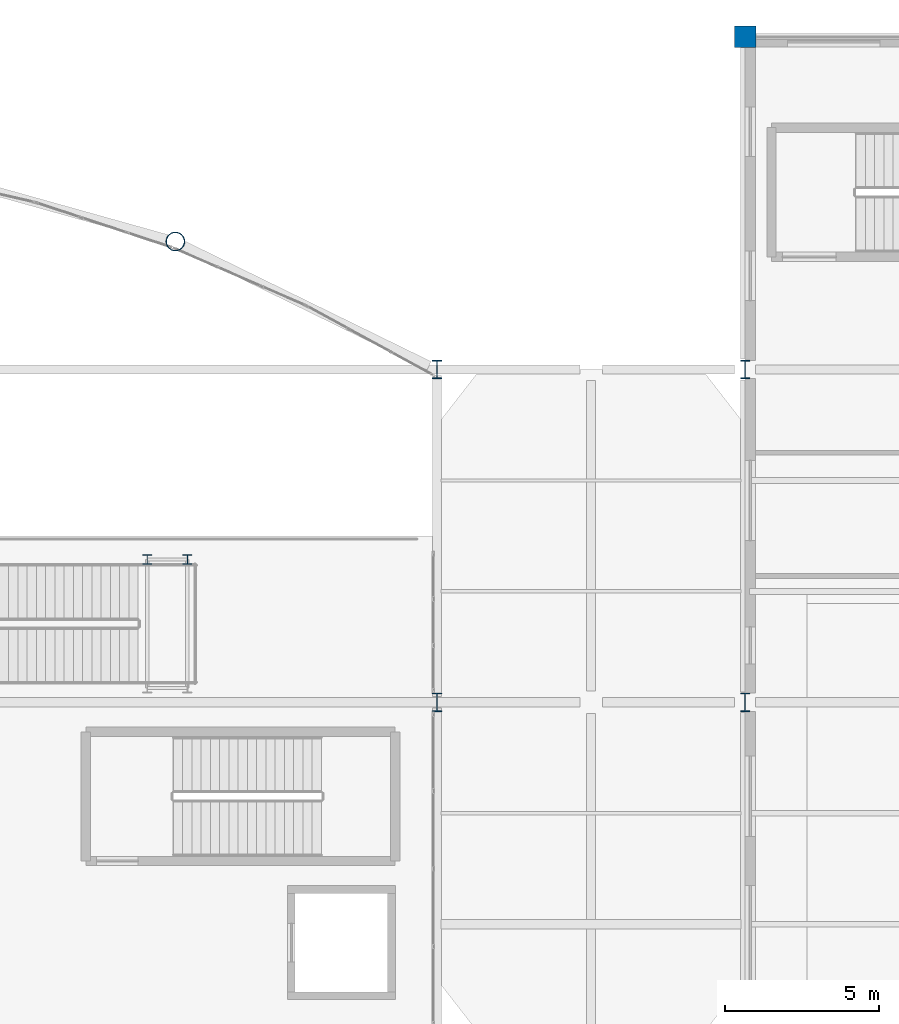
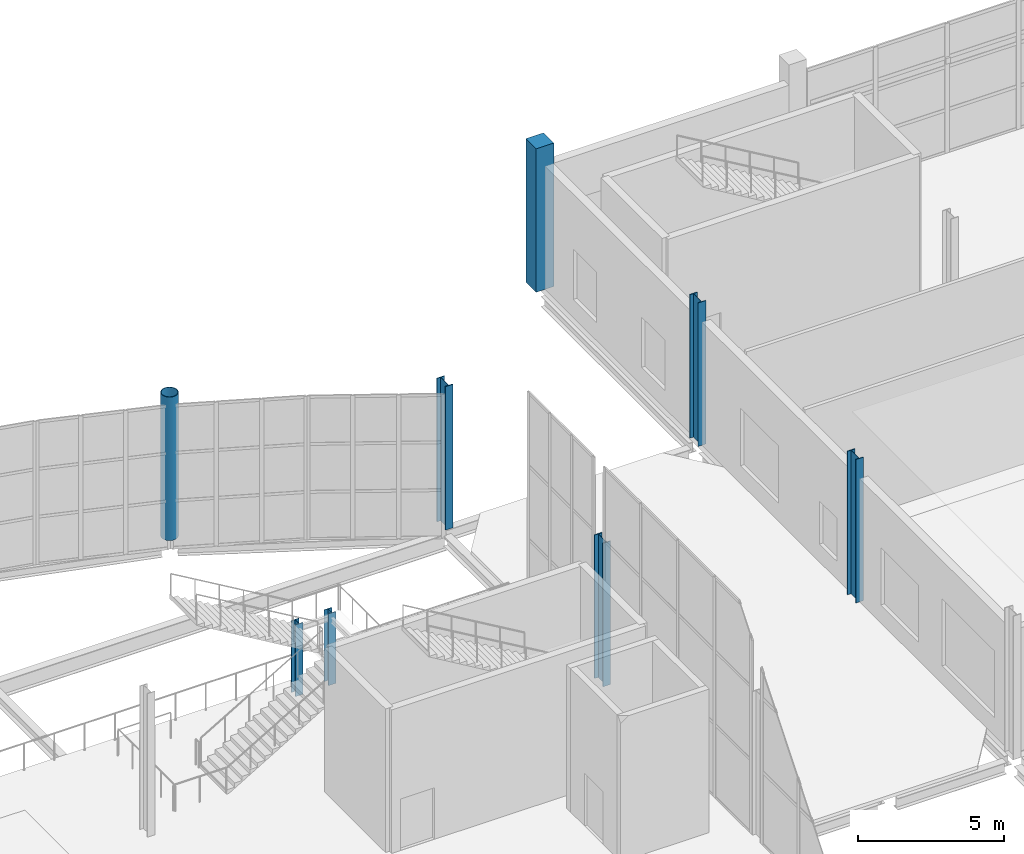
# One storey, part 13 of 191: 8 columns.
"""IFC4 building model written with IfcOpenShell, lengths in metres."""

from ifc_helpers import new_model, si_unit, direction, frame, origin, origin_2d, place, context, subcontext, project, spatial, rectangle, hollow_circle, i_section, extrude, material, material_profile, profile_set, type_object, element, save


model = new_model("IFC4")

# Units and contexts
model_context = context("Model", 3, precision=1e-05, world=origin(), true_north=direction((0.0, 1.0)))
body_context = subcontext(model_context, "Body", "Model", "MODEL_VIEW")
ifc_project = project(units=[si_unit("LENGTHUNIT", "METRE"), si_unit("AREAUNIT", "SQUARE_METRE"), si_unit("VOLUMEUNIT", "CUBIC_METRE"), si_unit("PLANEANGLEUNIT", "RADIAN"), si_unit("MASSUNIT", "GRAM", prefix="KILO")], contexts=[model_context])

# Site, building, storey
site_placement = place(None, origin())
site = spatial("IfcSite", under=ifc_project, at=site_placement, CompositionType="ELEMENT")
building_placement = place(site_placement, origin())
building = spatial("IfcBuilding", under=site, at=building_placement, Name="Tamarisk Ironworks Central Station", CompositionType="ELEMENT")
storey_placement = place(building_placement, frame((0.0, 0.0, 6.60009765625)))
storey = spatial("IfcBuildingStorey", under=building, at=storey_placement, Name="L01", CompositionType="ELEMENT", Elevation=6.60009765625)

# Columns
ifc_material_1 = material(Name="Concrete C50/60", Category="concrete")
ifc_material_profile_1 = material_profile(ifc_material_1, rectangle(XDim=0.699951171875, YDim=0.699951171875, at=origin_2d()), Name="RC 700x700")
ifc_profile_set_1 = profile_set([ifc_material_profile_1], Name="Concrete C50/60")
column_type_1 = type_object("IfcColumnType", Name="COL-RC02", PredefinedType="COLUMN", material=ifc_profile_set_1)
column_1_placement = place(storey_placement, frame((118.0, 122.39990234375, 0.0), z_axis=(0.0, 0.0, 1.0), x_axis=(1.0, 0.0, 0.0)))
element("IfcColumn", 1, at=column_1_placement, inside=storey, type_object=column_type_1, Name="L01 column V5-15N", PredefinedType="COLUMN", context=body_context, shape_type="SweptSolid", body=[
    extrude(rectangle(XDim=0.699951171875, YDim=0.699951171875, at=origin_2d()), origin(), (0.0, 0.0, 1.0), 6.0),
])
ifc_material_2 = material(Name="Structural steel S355J2", Category="steel")
ifc_material_profile_2 = material_profile(ifc_material_2, i_section(OverallWidth=0.300048828125, OverallDepth=0.60009765625, WebThickness=0.015380859375, FlangeThickness=0.029052734375, at=origin_2d()), Name="HEB 600")
ifc_profile_set_2 = profile_set([ifc_material_profile_2], Name="Structural steel S355J2")
column_type_2 = type_object("IfcColumnType", Name="COL-S05", PredefinedType="COLUMN", material=ifc_profile_set_2)
for number, where, z_axis, x_axis, name in (
    (2, (108.0, 100.800048828125, 0.0), (0.0, 0.0, 1.0), (1.0, 0.0, 0.0), "L01 column V2-14J"),
    (3, (108.0, 111.60009765625, 0.0), (0.0, 0.0, 1.0), (1.0, 0.0, 0.0), "L01 column V2-14L"),
    (4, (118.0, 100.800048828125, 0.0), (0.0, 0.0, 1.0), (1.0, 0.0, 0.0), "L01 column V5-15J"),
    (5, (118.0, 111.60009765625, 0.0), (0.0, 0.0, 1.0), (1.0, 0.0, 0.0), "L01 column V5-15L"),
):
    element("IfcColumn", number, at=place(storey_placement, frame(where, z_axis=z_axis, x_axis=x_axis)), inside=storey, type_object=column_type_2, Name=name, PredefinedType="COLUMN", context=body_context, shape_type="SweptSolid", body=[
        extrude(i_section(OverallWidth=0.300048828125, OverallDepth=0.60009765625, WebThickness=0.015380859375, FlangeThickness=0.029052734375, at=origin_2d()), origin(), (0.0, 0.0, 1.0), 6.0),
    ])
ifc_material_profile_3 = material_profile(ifc_material_2, i_section(OverallWidth=0.300048828125, OverallDepth=0.300048828125, WebThickness=0.010986328125, FlangeThickness=0.01904296875, at=origin_2d()), Name="HEB 300")
ifc_profile_set_3 = profile_set([ifc_material_profile_3], Name="Structural steel S355J2")
column_type_3 = type_object("IfcColumnType", Name="COL-S12", PredefinedType="COLUMN", material=ifc_profile_set_3)
for number, where, z_axis, x_axis, name in (
    (6, (98.60009765625, 105.43505859375, -0.02001953125), (0.0, 0.0, 1.0), (1.0, 0.0, 0.0), "ST-MZ2 landing support post Z1-3"),
    (7, (99.89990234375, 105.43505859375, -0.02001953125), (0.0, 0.0, 1.0), (1.0, 0.0, 0.0), "ST-MZ2 landing support post Z1-4"),
):
    element("IfcColumn", number, at=place(storey_placement, frame(where, z_axis=z_axis, x_axis=x_axis)), inside=storey, type_object=column_type_3, Name=name, PredefinedType="COLUMN", context=body_context, shape_type="SweptSolid", body=[
        extrude(i_section(OverallWidth=0.300048828125, OverallDepth=0.300048828125, WebThickness=0.010986328125, FlangeThickness=0.01904296875, at=origin_2d()), origin(), (0.0, 0.0, 1.0), 3.0),
    ])
ifc_material_3 = material(Name="Painted structural steel S355J2", Category="steel")
ifc_material_profile_4 = material_profile(ifc_material_3, hollow_circle(Radius=0.304931640625, WallThickness=0.02001953125, at=origin_2d()), Name="CHS 610x20")
ifc_profile_set_4 = profile_set([ifc_material_profile_4], Name="Painted structural steel S355J2")
column_type_4 = type_object("IfcColumnType", Name="COL-S15", PredefinedType="COLUMN", material=ifc_profile_set_4)
column_2_placement = place(storey_placement, frame((99.51123046875, 115.752685546875, 0.0), z_axis=(0.0, 0.0, 1.0), x_axis=(1.0, 0.0, 0.0)))
element("IfcColumn", 8, at=column_2_placement, inside=storey, type_object=column_type_4, Name="L01 column V2-NN10", PredefinedType="COLUMN", context=body_context, shape_type="SweptSolid", body=[
    extrude(hollow_circle(Radius=0.304931640625, WallThickness=0.02001953125, at=origin_2d()), origin(), (0.0, 0.0, 1.0), 6.0),
])

save(model, "model.ifc")
